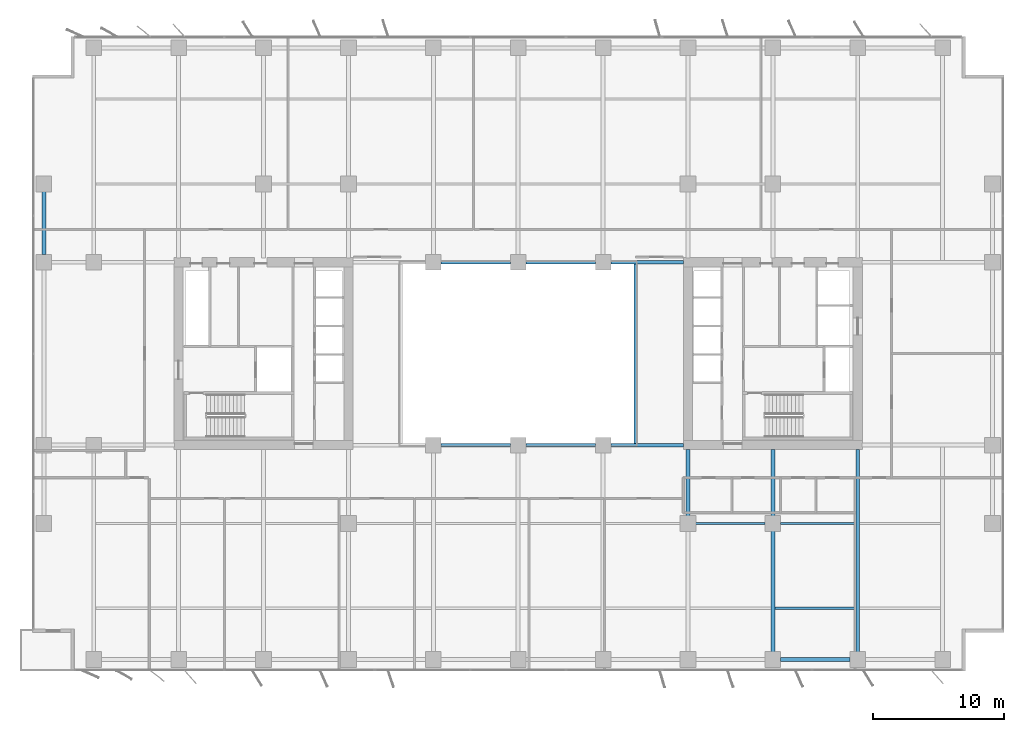
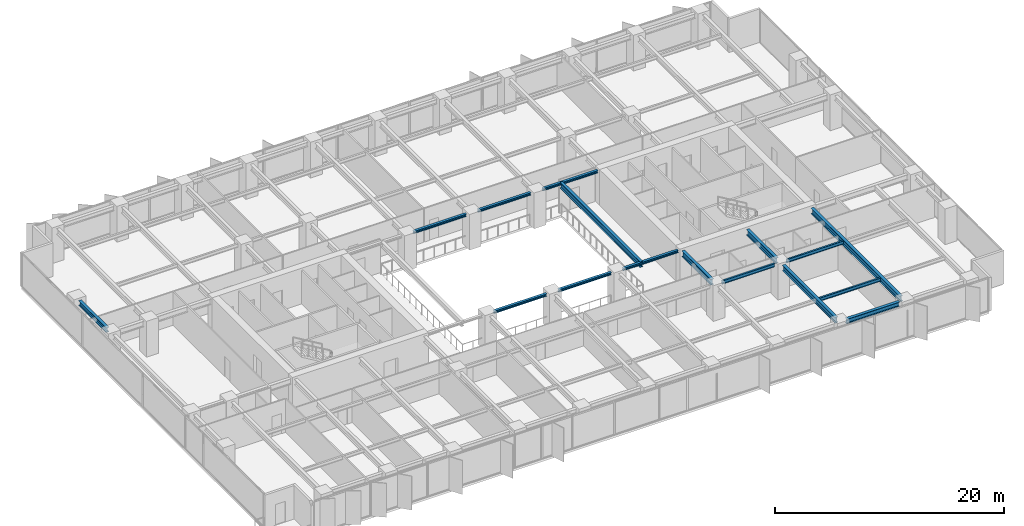
# One storey, part 6 of 20: 16 beams.
"""IFC4 building model written with IfcOpenShell, lengths in metres."""

from ifc_helpers import new_model, si_unit, direction, frame, origin, origin_2d, place, context, subcontext, project, spatial, i_section, extrude, material, material_profile, profile_set, type_object, element, save


model = new_model("IFC4")

# Units and contexts
model_context = context("Model", 3, precision=1e-05, world=origin(), true_north=direction((0.0, 1.0)))
body_context = subcontext(model_context, "Body", "Model", "MODEL_VIEW")
ifc_project = project(units=[si_unit("LENGTHUNIT", "METRE"), si_unit("AREAUNIT", "SQUARE_METRE"), si_unit("VOLUMEUNIT", "CUBIC_METRE"), si_unit("PLANEANGLEUNIT", "RADIAN"), si_unit("MASSUNIT", "GRAM", prefix="KILO")], contexts=[model_context])

# Site, building, storey
site_placement = place(None, origin())
site = spatial("IfcSite", under=ifc_project, at=site_placement, CompositionType="ELEMENT")
building_placement = place(site_placement, origin())
building = spatial("IfcBuilding", under=site, at=building_placement, Name="Putna Gate Headquarters", CompositionType="ELEMENT")
storey_placement = place(building_placement, frame((0.0, 0.0, 93.60009765625)))
storey = spatial("IfcBuildingStorey", under=building, at=storey_placement, Name="L22", CompositionType="ELEMENT", Elevation=93.60009765625)

# Beams
ifc_material = material(Name="Steel S355J2", Category="steel")
ifc_material_profile_1 = material_profile(ifc_material, i_section(OverallWidth=0.260009765625, OverallDepth=0.260009765625, WebThickness=0.010009765625, FlangeThickness=0.017578125, at=origin_2d()), Name="Steel S355J2")
ifc_profile_set_1 = profile_set([ifc_material_profile_1], Name="Steel S355J2")
beam_type_1 = type_object("IfcBeamType", Name="BM-ATRIUM-HEB260", PredefinedType="BEAM", material=ifc_profile_set_1)
for number, where, z_axis, x_axis, name in (
    (1, (33.087890625, 19.0, 3.434814453125), (1.0, 0.0, 0.0), (0.0, 1.0, 0.0), "L22 Atrium Edge Beam AS2"),
    (2, (39.587890625, 19.0, 3.434814453125), (1.0, 0.0, 0.0), (0.0, 1.0, 0.0), "L22 Atrium Edge Beam AS3"),
):
    element("IfcBeam", number, at=place(storey_placement, frame(where, z_axis=z_axis, x_axis=x_axis)), inside=storey, type_object=beam_type_1, Name=name, PredefinedType="BEAM", context=body_context, shape_type="SweptSolid", body=[
        extrude(i_section(OverallWidth=0.260009765625, OverallDepth=0.260009765625, WebThickness=0.010009765625, FlangeThickness=0.017578125, at=origin_2d()), origin(), (0.0, 0.0, 1.0), 5.32421875),
    ])
beam_1_placement = place(storey_placement, frame((46.087890625, 19.0, 3.434814453125), z_axis=(1.0, 0.0, 0.0), x_axis=(0.0, 1.0, 0.0)))
element("IfcBeam", 3, at=beam_1_placement, inside=storey, type_object=beam_type_1, Name="L22 Atrium Edge Beam AS4", PredefinedType="BEAM", context=body_context, shape_type="SweptSolid", body=[
    extrude(i_section(OverallWidth=0.260009765625, OverallDepth=0.260009765625, WebThickness=0.010009765625, FlangeThickness=0.017578125, at=origin_2d()), origin(), (0.0, 0.0, 1.0), 5.5771484375),
])
for number, where, z_axis, x_axis, name in (
    (4, (33.087890625, 33.0, 3.434814453125), (1.0, 0.0, 0.0), (0.0, 1.0, 0.0), "L22 Atrium Edge Beam AN2"),
    (5, (39.587890625, 33.0, 3.434814453125), (1.0, 0.0, 0.0), (0.0, 1.0, 0.0), "L22 Atrium Edge Beam AN3"),
):
    element("IfcBeam", number, at=place(storey_placement, frame(where, z_axis=z_axis, x_axis=x_axis)), inside=storey, type_object=beam_type_1, Name=name, PredefinedType="BEAM", context=body_context, shape_type="SweptSolid", body=[
        extrude(i_section(OverallWidth=0.260009765625, OverallDepth=0.260009765625, WebThickness=0.010009765625, FlangeThickness=0.017578125, at=origin_2d()), origin(), (0.0, 0.0, 1.0), 5.32421875),
    ])
beam_2_placement = place(storey_placement, frame((46.087890625, 33.0, 3.434814453125), z_axis=(1.0, 0.0, 0.0), x_axis=(0.0, 1.0, 0.0)))
element("IfcBeam", 6, at=beam_2_placement, inside=storey, type_object=beam_type_1, Name="L22 Atrium Edge Beam AN4", PredefinedType="BEAM", context=body_context, shape_type="SweptSolid", body=[
    extrude(i_section(OverallWidth=0.260009765625, OverallDepth=0.260009765625, WebThickness=0.010009765625, FlangeThickness=0.017578125, at=origin_2d()), origin(), (0.0, 0.0, 1.0), 5.5771484375),
])
ifc_material_profile_2 = material_profile(ifc_material, i_section(OverallWidth=0.300048828125, OverallDepth=0.60009765625, WebThickness=0.015380859375, FlangeThickness=0.030029296875, at=origin_2d()), Name="Steel S355J2")
ifc_profile_set_2 = profile_set([ifc_material_profile_2], Name="Steel S355J2")
beam_type_2 = type_object("IfcBeamType", Name="BM-GIRD-Z2-HEB600", PredefinedType="USERDEFINED", material=ifc_profile_set_2)
beam_3_placement = place(storey_placement, frame((52.0, 13.587890625, 3.264892578125), z_axis=(0.0, 1.0, 0.0), x_axis=(-1.0, 0.0, 0.0)))
element("IfcBeam", 7, at=beam_3_placement, inside=storey, type_object=beam_type_2, Name="L22 South Primary Girder X52-2", ObjectType="GIRDER", PredefinedType="USERDEFINED", context=body_context, shape_type="SweptSolid", body=[
    extrude(i_section(OverallWidth=0.300048828125, OverallDepth=0.60009765625, WebThickness=0.015380859375, FlangeThickness=0.030029296875, at=origin_2d()), origin(), (0.0, 0.0, 1.0), 5.0771484375),
])
beam_4_placement = place(storey_placement, frame((58.5, 3.16796875, 3.264892578125), z_axis=(0.0, 1.0, 0.0), x_axis=(-1.0, 0.0, 0.0)))
element("IfcBeam", 8, at=beam_4_placement, inside=storey, type_object=beam_type_2, Name="L22 South Primary Girder X58-1", ObjectType="GIRDER", PredefinedType="USERDEFINED", context=body_context, shape_type="SweptSolid", body=[
    extrude(i_section(OverallWidth=0.300048828125, OverallDepth=0.60009765625, WebThickness=0.015380859375, FlangeThickness=0.030029296875, at=origin_2d()), origin(), (0.0, 0.0, 1.0), 9.244140625),
])
beam_5_placement = place(storey_placement, frame((58.5, 13.587890625, 3.264892578125), z_axis=(0.0, 1.0, 0.0), x_axis=(-1.0, 0.0, 0.0)))
element("IfcBeam", 9, at=beam_5_placement, inside=storey, type_object=beam_type_2, Name="L22 South Primary Girder X58-2", ObjectType="GIRDER", PredefinedType="USERDEFINED", context=body_context, shape_type="SweptSolid", body=[
    extrude(i_section(OverallWidth=0.300048828125, OverallDepth=0.60009765625, WebThickness=0.015380859375, FlangeThickness=0.030029296875, at=origin_2d()), origin(), (0.0, 0.0, 1.0), 5.0771484375),
])
beam_6_placement = place(storey_placement, frame((65.0, 3.16796875, 3.264892578125), z_axis=(0.0, 1.0, 0.0), x_axis=(-1.0, 0.0, 0.0)))
element("IfcBeam", 10, at=beam_6_placement, inside=storey, type_object=beam_type_2, Name="L22 South Primary Girder X65", ObjectType="GIRDER", PredefinedType="USERDEFINED", context=body_context, shape_type="SweptSolid", body=[
    extrude(i_section(OverallWidth=0.300048828125, OverallDepth=0.60009765625, WebThickness=0.015380859375, FlangeThickness=0.030029296875, at=origin_2d()), origin(), (0.0, 0.0, 1.0), 15.4970703125),
])
beam_7_placement = place(storey_placement, frame((48.0, 19.010009765625, 3.264892578125), z_axis=(0.0, 1.0, 0.0), x_axis=(-1.0, 0.0, 0.0)))
element("IfcBeam", 11, at=beam_7_placement, inside=storey, type_object=beam_type_2, Name="L22 Atrium Trim Girder AE", ObjectType="GIRDER", PredefinedType="USERDEFINED", context=body_context, shape_type="SweptSolid", body=[
    extrude(i_section(OverallWidth=0.300048828125, OverallDepth=0.60009765625, WebThickness=0.015380859375, FlangeThickness=0.030029296875, at=origin_2d()), origin(), (0.0, 0.0, 1.0), 13.97998046875),
])
ifc_material_profile_3 = material_profile(ifc_material, i_section(OverallWidth=0.169921875, OverallDepth=0.360107421875, WebThickness=0.008056640625, FlangeThickness=0.0126953125, at=origin_2d()), Name="Steel S355J2")
ifc_profile_set_3 = profile_set([ifc_material_profile_3], Name="Steel S355J2")
beam_type_3 = type_object("IfcBeamType", Name="BM-SEC-Z2-IPE360", PredefinedType="BEAM", material=ifc_profile_set_3)
beam_8_placement = place(storey_placement, frame((52.587890625, 13.0, 3.385009765625), z_axis=(1.0, 0.0, 0.0), x_axis=(0.0, 1.0, 0.0)))
element("IfcBeam", 12, at=beam_8_placement, inside=storey, type_object=beam_type_3, Name="L22 South Secondary Beam 8", PredefinedType="BEAM", context=body_context, shape_type="SweptSolid", body=[
    extrude(i_section(OverallWidth=0.169921875, OverallDepth=0.360107421875, WebThickness=0.008056640625, FlangeThickness=0.0126953125, at=origin_2d()), origin(), (0.0, 0.0, 1.0), 5.32421875),
])
beam_9_placement = place(storey_placement, frame((58.654052734375, 6.5, 3.385009765625), z_axis=(1.0, 0.0, 0.0), x_axis=(0.0, 1.0, 0.0)))
element("IfcBeam", 13, at=beam_9_placement, inside=storey, type_object=beam_type_3, Name="L22 South Secondary Beam 9", PredefinedType="BEAM", context=body_context, shape_type="SweptSolid", body=[
    extrude(i_section(OverallWidth=0.169921875, OverallDepth=0.360107421875, WebThickness=0.008056640625, FlangeThickness=0.0126953125, at=origin_2d()), origin(), (0.0, 0.0, 1.0), 6.19189453125),
])
beam_10_placement = place(storey_placement, frame((59.087890625, 13.0, 3.385009765625), z_axis=(1.0, 0.0, 0.0), x_axis=(0.0, 1.0, 0.0)))
element("IfcBeam", 14, at=beam_10_placement, inside=storey, type_object=beam_type_3, Name="L22 South Secondary Beam 9", PredefinedType="BEAM", context=body_context, shape_type="SweptSolid", body=[
    extrude(i_section(OverallWidth=0.169921875, OverallDepth=0.360107421875, WebThickness=0.008056640625, FlangeThickness=0.0126953125, at=origin_2d()), origin(), (0.0, 0.0, 1.0), 5.758056640625),
])
ifc_material_profile_4 = material_profile(ifc_material, i_section(OverallWidth=0.300048828125, OverallDepth=0.489990234375, WebThickness=0.011962890625, FlangeThickness=0.02294921875, at=origin_2d()), Name="Steel S355J2")
ifc_profile_set_4 = profile_set([ifc_material_profile_4], Name="Steel S355J2")
beam_type_4 = type_object("IfcBeamType", Name="BM-SPAN-Z2-HEA500", PredefinedType="SPANDREL", material=ifc_profile_set_4)
beam_11_placement = place(storey_placement, frame((59.087890625, 2.580078125, 3.31982421875), z_axis=(1.0, 0.0, 0.0), x_axis=(0.0, 1.0, 0.0)))
element("IfcBeam", 15, at=beam_11_placement, inside=storey, type_object=beam_type_4, Name="L22 S Perimeter Spandrel 9", PredefinedType="SPANDREL", context=body_context, shape_type="SweptSolid", body=[
    extrude(i_section(OverallWidth=0.300048828125, OverallDepth=0.489990234375, WebThickness=0.011962890625, FlangeThickness=0.02294921875, at=origin_2d()), origin(), (0.0, 0.0, 1.0), 5.32421875),
])
beam_12_placement = place(storey_placement, frame((2.679931640625, 33.587890625, 3.31982421875), z_axis=(0.0, 1.0, 0.0), x_axis=(-1.0, 0.0, 0.0)))
element("IfcBeam", 16, at=beam_12_placement, inside=storey, type_object=beam_type_4, Name="L22 W End Spandrel 3", PredefinedType="SPANDREL", context=body_context, shape_type="SweptSolid", body=[
    extrude(i_section(OverallWidth=0.300048828125, OverallDepth=0.489990234375, WebThickness=0.011962890625, FlangeThickness=0.02294921875, at=origin_2d()), origin(), (0.0, 0.0, 1.0), 4.82421875),
])

save(model, "model.ifc")
